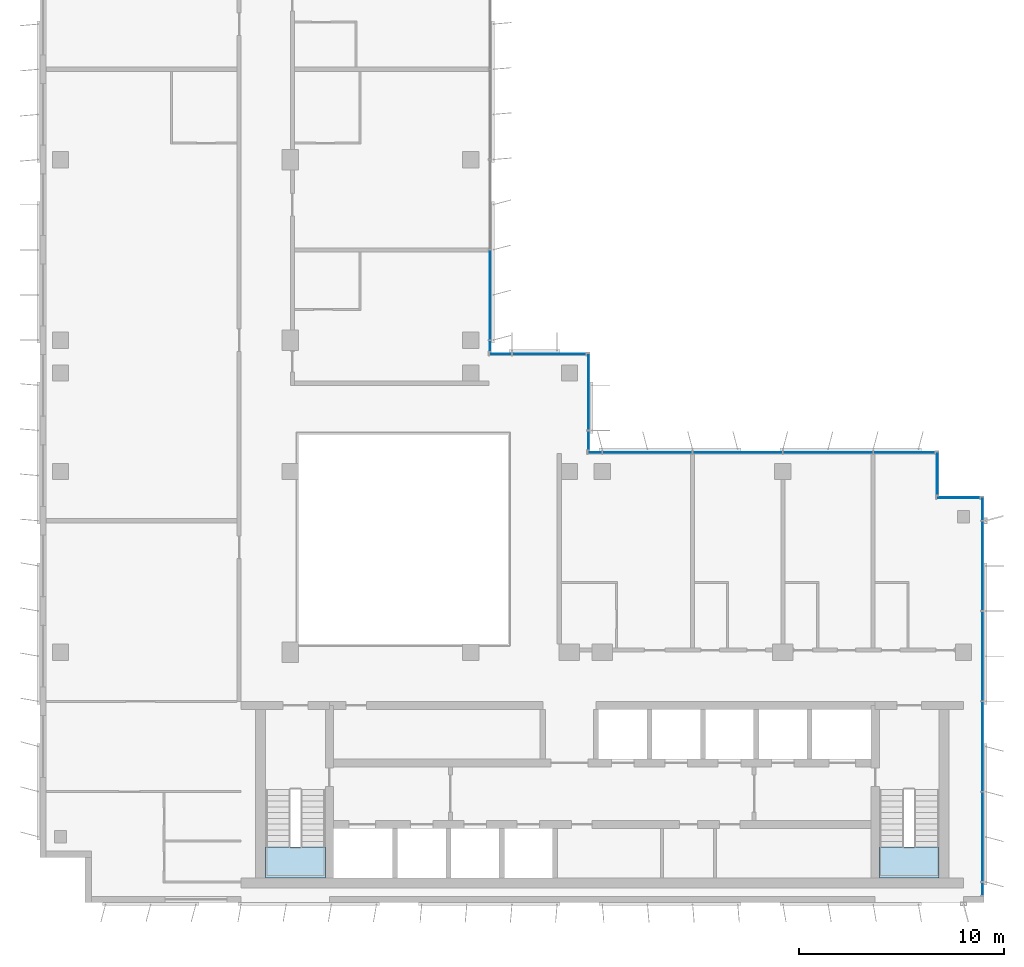
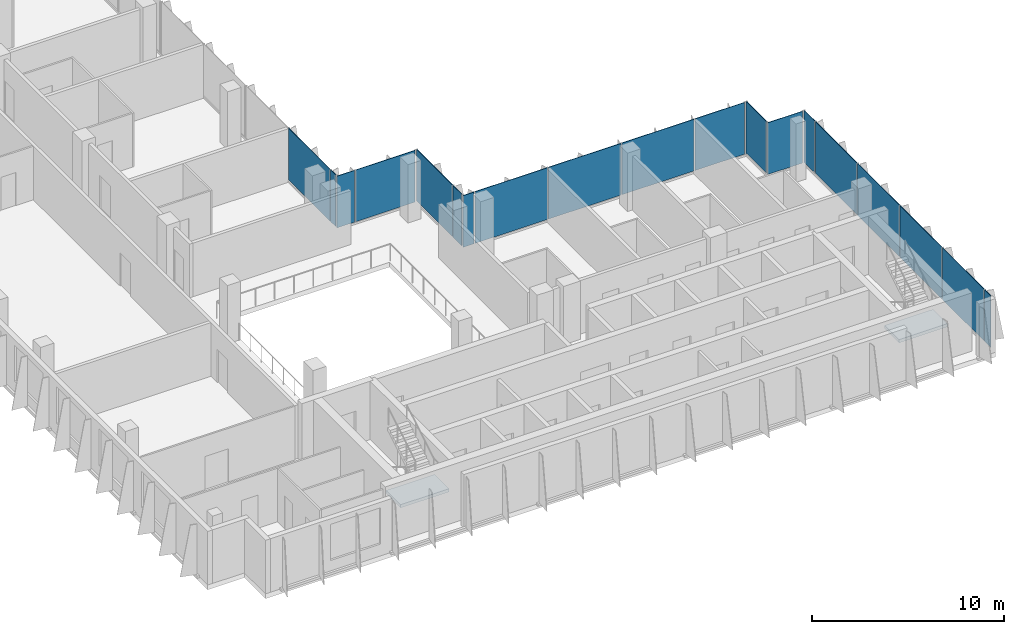
# One storey, part 7 of 15: 19 plates, 2 slabs, 9 elements without a shape of their own.
"""IFC4 building model written with IfcOpenShell, lengths in metres."""

from ifc_helpers import new_model, si_unit, direction, frame, origin, origin_2d, place, context, subcontext, project, spatial, polyline, rectangle, outline, extrude, source, transform, mapped, material, layer, layer_set, type_object, element, aggregate, save


model = new_model("IFC4")

# Units and contexts
model_context = context("Model", 3, precision=1e-05, world=origin(), true_north=direction((0.0, 1.0)))
body_context = subcontext(model_context, "Body", "Model", "MODEL_VIEW")
ifc_project = project(units=[si_unit("LENGTHUNIT", "METRE"), si_unit("AREAUNIT", "SQUARE_METRE"), si_unit("VOLUMEUNIT", "CUBIC_METRE"), si_unit("PLANEANGLEUNIT", "RADIAN"), si_unit("MASSUNIT", "GRAM", prefix="KILO")], contexts=[model_context])

# Site, building, storey
site_placement = place(None, origin())
site = spatial("IfcSite", under=ifc_project, at=site_placement, CompositionType="ELEMENT")
building_placement = place(site_placement, origin())
building = spatial("IfcBuilding", under=site, at=building_placement, Name="Kemantara Hotel Tower", CompositionType="ELEMENT")
storey_placement = place(building_placement, frame((0.0, 0.0, 298.10009765625)))
storey = spatial("IfcBuildingStorey", under=building, at=storey_placement, Name="L75", CompositionType="ELEMENT", Elevation=298.10009765625)

# Stair, slab
ifc_material_1 = material(Name="Concrete fc 40 MPa", Category="concrete")
stair_type = type_object("IfcStairType", Name="Stair 1200 wide 22 risers of 168 x 280 mm", PredefinedType="HALF_TURN_STAIR", material=ifc_material_1)
stair_1_placement = place(storey_placement, origin())
stair_1 = element("IfcStair", 1, at=stair_1_placement, inside=storey, type_object=stair_type, Name="L75 Exit stair ST1", PredefinedType="HALF_TURN_STAIR")
ifc_layer_1 = layer(ifc_material_1, 0.199951171875)
ifc_layer_set_1 = layer_set([ifc_layer_1], Name="Concrete fc 40 MPa")
slab_type = type_object("IfcSlabType", Name="Stair landing 200 mm", PredefinedType="LANDING", material=ifc_layer_set_1)
slab_1_placement = place(storey_placement, frame((0.0, 0.0, 1.64990234375)))
slab_1 = element("IfcSlab", 2, at=slab_1_placement, type_object=slab_type, Name="ST1 landing 1", PredefinedType="LANDING", context=body_context, shape_type="SweptSolid", body=[
    extrude(outline(polyline([(11.0, 2.699951171875), (11.0, 1.199951171875), (13.89990234375, 1.199951171875), (13.89990234375, 2.699951171875), (11.0, 2.699951171875)])), origin(), (0.0, 0.0, 1.0), 0.199951171875),
])
aggregate(stair_1, [slab_1])

stair_2_placement = place(storey_placement, origin())
stair_2 = element("IfcStair", 3, at=stair_2_placement, inside=storey, type_object=stair_type, Name="L75 Exit stair ST2", PredefinedType="HALF_TURN_STAIR")
slab_2_placement = place(storey_placement, frame((0.0, 0.0, 1.64990234375)))
slab_2 = element("IfcSlab", 4, at=slab_2_placement, type_object=slab_type, Name="ST2 landing 1", PredefinedType="LANDING", context=body_context, shape_type="SweptSolid", body=[
    extrude(outline(polyline([(40.89990234375, 2.699951171875), (40.89990234375, 1.199951171875), (43.800048828125, 1.199951171875), (43.800048828125, 2.699951171875), (40.89990234375, 2.699951171875)])), origin(), (0.0, 0.0, 1.0), 0.199951171875),
])
aggregate(stair_2, [slab_2])

# Curtain wall, plates
ifc_material_2 = material(Name="Low-E tinted double insulated glass 36 mm", Category="glass")
curtain_wall_type = type_object("IfcCurtainWallType", Name="TOWER CURTAIN WALL, FRONT FACES", PredefinedType="USERDEFINED", material=ifc_material_2)
curtain_wall_1_placement = place(storey_placement, origin())
curtain_wall_1 = element("IfcCurtainWall", 5, at=curtain_wall_1_placement, inside=storey, type_object=curtain_wall_type, Name="CW4 L75 T4-R09-1", ObjectType="TOWER CURTAIN WALL, FRONT FACES", PredefinedType="USERDEFINED")
ifc_layer_2 = layer(ifc_material_2, 0.035888671875)
ifc_layer_set_2 = layer_set([ifc_layer_2], Name="Low-E tinted double insulated glass 36 mm")
plate_type = type_object("IfcPlateType", Name="TOWER CURTAIN WALL, FRONT FACES PANEL", PredefinedType="CURTAIN_PANEL", material=ifc_layer_set_2)
shared_shape_1 = source(origin(), body_context, "Body", "SweptSolid", [
    extrude(rectangle(XDim=4.340087890625, YDim=0.035888671875, at=origin_2d()), origin(), (0.0, 0.0, 1.0), 3.280029296875),
])
plate_1_placement = place(storey_placement, frame((45.925048828125, 3.199951171875, 0.1201171875), z_axis=(0.0, 0.0, 1.0), x_axis=(0.0, 1.0, 0.0)))
plate_1 = element("IfcPlate", 6, at=plate_1_placement, type_object=plate_type, Name="CW4 glass panel T4-R09-1.2", PredefinedType="CURTAIN_PANEL", context=body_context, shape_type="MappedRepresentation", body=[
    mapped(shared_shape_1, transform((0.0, 0.0, 0.0))),
])
plate_2_placement = place(storey_placement, frame((45.925048828125, 7.60009765625, 0.1201171875), z_axis=(0.0, 0.0, 1.0), x_axis=(0.0, 1.0, 0.0)))
plate_2 = element("IfcPlate", 7, at=plate_2_placement, type_object=plate_type, Name="CW4 glass panel T4-R09-1.3", PredefinedType="CURTAIN_PANEL", context=body_context, shape_type="MappedRepresentation", body=[
    mapped(shared_shape_1, transform((0.0, 0.0, 0.0))),
])
plate_3_placement = place(storey_placement, frame((45.925048828125, 12.0, 0.1201171875), z_axis=(0.0, 0.0, 1.0), x_axis=(0.0, 1.0, 0.0)))
plate_3 = element("IfcPlate", 8, at=plate_3_placement, type_object=plate_type, Name="CW4 glass panel T4-R09-1.4", PredefinedType="CURTAIN_PANEL", context=body_context, shape_type="MappedRepresentation", body=[
    mapped(shared_shape_1, transform((0.0, 0.0, 0.0))),
])
plate_4_placement = place(storey_placement, frame((45.925048828125, 16.39990234375, 0.1201171875), z_axis=(0.0, 0.0, 1.0), x_axis=(0.0, 1.0, 0.0)))
plate_4 = element("IfcPlate", 9, at=plate_4_placement, type_object=plate_type, Name="CW4 glass panel T4-R09-1.5", PredefinedType="CURTAIN_PANEL", context=body_context, shape_type="MappedRepresentation", body=[
    mapped(shared_shape_1, transform((0.0, 0.0, 0.0))),
])

curtain_wall_2_placement = place(storey_placement, origin())
curtain_wall_2 = element("IfcCurtainWall", 10, at=curtain_wall_2_placement, inside=storey, type_object=curtain_wall_type, Name="CW4 L75 T4-R12-1", ObjectType="TOWER CURTAIN WALL, FRONT FACES", PredefinedType="USERDEFINED")
plate_5_placement = place(storey_placement, frame((38.39990234375, 21.925048828125, 0.1201171875), z_axis=(0.0, 0.0, 1.0), x_axis=(-1.0, 0.0, 0.0)))
plate_5 = element("IfcPlate", 11, at=plate_5_placement, type_object=plate_type, Name="CW4 glass panel T4-R12-1.2", PredefinedType="CURTAIN_PANEL", context=body_context, shape_type="MappedRepresentation", body=[
    mapped(shared_shape_1, transform((0.0, 0.0, 0.0))),
])
plate_6_placement = place(storey_placement, frame((34.0, 21.925048828125, 0.1201171875), z_axis=(0.0, 0.0, 1.0), x_axis=(-1.0, 0.0, 0.0)))
plate_6 = element("IfcPlate", 12, at=plate_6_placement, type_object=plate_type, Name="CW4 glass panel T4-R12-1.3", PredefinedType="CURTAIN_PANEL", context=body_context, shape_type="MappedRepresentation", body=[
    mapped(shared_shape_1, transform((0.0, 0.0, 0.0))),
])
plate_7_placement = place(storey_placement, frame((29.60009765625, 21.925048828125, 0.1201171875), z_axis=(0.0, 0.0, 1.0), x_axis=(-1.0, 0.0, 0.0)))
plate_7 = element("IfcPlate", 13, at=plate_7_placement, type_object=plate_type, Name="CW4 glass panel T4-R12-1.4", PredefinedType="CURTAIN_PANEL", context=body_context, shape_type="MappedRepresentation", body=[
    mapped(shared_shape_1, transform((0.0, 0.0, 0.0))),
])

# Curtain wall, plate
curtain_wall_3_placement = place(storey_placement, origin())
curtain_wall_3 = element("IfcCurtainWall", 14, at=curtain_wall_3_placement, inside=storey, type_object=curtain_wall_type, Name="CW4 L75 T4-R15-1", ObjectType="TOWER CURTAIN WALL, FRONT FACES", PredefinedType="USERDEFINED")
plate_8_placement = place(storey_placement, frame((21.925048828125, 29.60009765625, 0.1201171875), z_axis=(0.0, 0.0, 1.0), x_axis=(0.0, 1.0, 0.0)))
plate_8 = element("IfcPlate", 15, at=plate_8_placement, type_object=plate_type, Name="CW4 glass panel T4-R15-1.2", PredefinedType="CURTAIN_PANEL", context=body_context, shape_type="MappedRepresentation", body=[
    mapped(shared_shape_1, transform((0.0, 0.0, 0.0))),
])

curtain_wall_4_placement = place(storey_placement, origin())
curtain_wall_4 = element("IfcCurtainWall", 16, at=curtain_wall_4_placement, inside=storey, type_object=curtain_wall_type, Name="CW4 L75 T4-R10-1", ObjectType="TOWER CURTAIN WALL, FRONT FACES", PredefinedType="USERDEFINED")
shared_shape_2 = source(origin(), body_context, "Body", "SweptSolid", [
    extrude(rectangle(XDim=2.080078125, YDim=0.035888671875, at=origin_2d()), origin(), (0.0, 0.0, 1.0), 3.280029296875),
])
plate_9_placement = place(storey_placement, frame((44.75, 19.72509765625, 0.1201171875), z_axis=(0.0, 0.0, 1.0), x_axis=(-1.0, 0.0, 0.0)))
plate_9 = element("IfcPlate", 17, at=plate_9_placement, type_object=plate_type, Name="CW4 glass panel T4-R10-1.1", PredefinedType="CURTAIN_PANEL", context=body_context, shape_type="MappedRepresentation", body=[
    mapped(shared_shape_2, transform((0.0, 0.0, 0.0))),
])
aggregate(curtain_wall_4, [plate_9])

curtain_wall_5_placement = place(storey_placement, origin())
curtain_wall_5 = element("IfcCurtainWall", 18, at=curtain_wall_5_placement, inside=storey, type_object=curtain_wall_type, Name="CW4 L75 T4-R11-1", ObjectType="TOWER CURTAIN WALL, FRONT FACES", PredefinedType="USERDEFINED")
plate_10_placement = place(storey_placement, frame((43.72509765625, 20.89990234375, 0.1201171875), z_axis=(0.0, 0.0, 1.0), x_axis=(0.0, 1.0, 0.0)))
plate_10 = element("IfcPlate", 19, at=plate_10_placement, type_object=plate_type, Name="CW4 glass panel T4-R11-1.1", PredefinedType="CURTAIN_PANEL", context=body_context, shape_type="MappedRepresentation", body=[
    mapped(shared_shape_2, transform((0.0, 0.0, 0.0))),
])
aggregate(curtain_wall_5, [plate_10])

# Plate
shared_shape_3 = source(origin(), body_context, "Body", "SweptSolid", [
    extrude(rectangle(XDim=2.9599609375, YDim=0.035888671875, at=origin_2d()), origin(), (0.0, 0.0, 1.0), 3.280029296875),
])
plate_11_placement = place(storey_placement, frame((42.110107421875, 21.925048828125, 0.1201171875), z_axis=(0.0, 0.0, 1.0), x_axis=(-1.0, 0.0, 0.0)))
plate_11 = element("IfcPlate", 20, at=plate_11_placement, type_object=plate_type, Name="CW4 glass panel T4-R12-1.1", PredefinedType="CURTAIN_PANEL", context=body_context, shape_type="MappedRepresentation", body=[
    mapped(shared_shape_3, transform((0.0, 0.0, 0.0))),
])

shared_shape_4 = source(origin(), body_context, "Body", "SweptSolid", [
    extrude(rectangle(XDim=0.659912109375, YDim=0.035888671875, at=origin_2d()), origin(), (0.0, 0.0, 1.0), 3.280029296875),
])
plate_12_placement = place(storey_placement, frame((27.0400390625, 21.925048828125, 0.1201171875), z_axis=(0.0, 0.0, 1.0), x_axis=(-1.0, 0.0, 0.0)))
plate_12 = element("IfcPlate", 21, at=plate_12_placement, type_object=plate_type, Name="CW4 glass panel T4-R12-1.5", PredefinedType="CURTAIN_PANEL", context=body_context, shape_type="MappedRepresentation", body=[
    mapped(shared_shape_4, transform((0.0, 0.0, 0.0))),
])

aggregate(curtain_wall_2, [plate_11, plate_5, plate_6, plate_7, plate_12])

shared_shape_5 = source(origin(), body_context, "Body", "SweptSolid", [
    extrude(rectangle(XDim=0.510009765625, YDim=0.035888671875, at=origin_2d()), origin(), (0.0, 0.0, 1.0), 3.280029296875),
])
plate_13_placement = place(storey_placement, frame((21.925048828125, 27.114990234375, 0.1201171875), z_axis=(0.0, 0.0, 1.0), x_axis=(0.0, 1.0, 0.0)))
plate_13 = element("IfcPlate", 22, at=plate_13_placement, type_object=plate_type, Name="CW4 glass panel T4-R15-1.1", PredefinedType="CURTAIN_PANEL", context=body_context, shape_type="MappedRepresentation", body=[
    mapped(shared_shape_5, transform((0.0, 0.0, 0.0))),
])

aggregate(curtain_wall_3, [plate_13, plate_8])

# Curtain wall, plate
curtain_wall_6_placement = place(storey_placement, origin())
curtain_wall_6 = element("IfcCurtainWall", 23, at=curtain_wall_6_placement, inside=storey, type_object=curtain_wall_type, Name="CW4 L75 T4-R13-1", ObjectType="TOWER CURTAIN WALL, FRONT FACES", PredefinedType="USERDEFINED")
shared_shape_6 = source(origin(), body_context, "Body", "SweptSolid", [
    extrude(rectangle(XDim=0.909912109375, YDim=0.035888671875, at=origin_2d()), origin(), (0.0, 0.0, 1.0), 3.280029296875),
])
plate_14_placement = place(storey_placement, frame((26.72509765625, 22.514892578125, 0.1201171875), z_axis=(0.0, 0.0, 1.0), x_axis=(0.0, 1.0, 0.0)))
plate_14 = element("IfcPlate", 24, at=plate_14_placement, type_object=plate_type, Name="CW4 glass panel T4-R13-1.1", PredefinedType="CURTAIN_PANEL", context=body_context, shape_type="MappedRepresentation", body=[
    mapped(shared_shape_6, transform((0.0, 0.0, 0.0))),
])

# Plate
shared_shape_7 = source(origin(), body_context, "Body", "SweptSolid", [
    extrude(rectangle(XDim=1.110107421875, YDim=0.035888671875, at=origin_2d()), origin(), (0.0, 0.0, 1.0), 3.280029296875),
])
plate_15_placement = place(storey_placement, frame((45.925048828125, 19.18505859375, 0.1201171875), z_axis=(0.0, 0.0, 1.0), x_axis=(0.0, 1.0, 0.0)))
plate_15 = element("IfcPlate", 25, at=plate_15_placement, type_object=plate_type, Name="CW4 glass panel T4-R09-1.6", PredefinedType="CURTAIN_PANEL", context=body_context, shape_type="MappedRepresentation", body=[
    mapped(shared_shape_7, transform((0.0, 0.0, 0.0))),
])

shared_shape_8 = source(origin(), body_context, "Body", "SweptSolid", [
    extrude(rectangle(XDim=3.7099609375, YDim=0.035888671875, at=origin_2d()), origin(), (0.0, 0.0, 1.0), 3.280029296875),
])
plate_16_placement = place(storey_placement, frame((26.72509765625, 24.885009765625, 0.1201171875), z_axis=(0.0, 0.0, 1.0), x_axis=(0.0, 1.0, 0.0)))
plate_16 = element("IfcPlate", 26, at=plate_16_placement, type_object=plate_type, Name="CW4 glass panel T4-R13-1.2", PredefinedType="CURTAIN_PANEL", context=body_context, shape_type="MappedRepresentation", body=[
    mapped(shared_shape_8, transform((0.0, 0.0, 0.0))),
])

aggregate(curtain_wall_6, [plate_14, plate_16])

# Curtain wall, plates
curtain_wall_7_placement = place(storey_placement, origin())
curtain_wall_7 = element("IfcCurtainWall", 27, at=curtain_wall_7_placement, inside=storey, type_object=curtain_wall_type, Name="CW4 L75 T4-R14-1", ObjectType="TOWER CURTAIN WALL, FRONT FACES", PredefinedType="USERDEFINED")
shared_shape_9 = source(origin(), body_context, "Body", "SweptSolid", [
    extrude(rectangle(XDim=3.56005859375, YDim=0.035888671875, at=origin_2d()), origin(), (0.0, 0.0, 1.0), 3.280029296875),
])
plate_17_placement = place(storey_placement, frame((24.81005859375, 26.72509765625, 0.1201171875), z_axis=(0.0, 0.0, 1.0), x_axis=(-1.0, 0.0, 0.0)))
plate_17 = element("IfcPlate", 28, at=plate_17_placement, type_object=plate_type, Name="CW4 glass panel T4-R14-1.1", PredefinedType="CURTAIN_PANEL", context=body_context, shape_type="MappedRepresentation", body=[
    mapped(shared_shape_9, transform((0.0, 0.0, 0.0))),
])
shared_shape_10 = source(origin(), body_context, "Body", "SweptSolid", [
    extrude(rectangle(XDim=1.06005859375, YDim=0.035888671875, at=origin_2d()), origin(), (0.0, 0.0, 1.0), 3.280029296875),
])
plate_18_placement = place(storey_placement, frame((22.43994140625, 26.72509765625, 0.1201171875), z_axis=(0.0, 0.0, 1.0), x_axis=(-1.0, 0.0, 0.0)))
plate_18 = element("IfcPlate", 29, at=plate_18_placement, type_object=plate_type, Name="CW4 glass panel T4-R14-1.2", PredefinedType="CURTAIN_PANEL", context=body_context, shape_type="MappedRepresentation", body=[
    mapped(shared_shape_10, transform((0.0, 0.0, 0.0))),
])
aggregate(curtain_wall_7, [plate_17, plate_18])

# Plate
shared_shape_11 = source(origin(), body_context, "Body", "SweptSolid", [
    extrude(rectangle(XDim=0.610107421875, YDim=0.035888671875, at=origin_2d()), origin(), (0.0, 0.0, 1.0), 3.280029296875),
])
plate_19_placement = place(storey_placement, frame((45.925048828125, 0.6650390625, 0.1201171875), z_axis=(0.0, 0.0, 1.0), x_axis=(0.0, 1.0, 0.0)))
plate_19 = element("IfcPlate", 30, at=plate_19_placement, type_object=plate_type, Name="CW4 glass panel T4-R09-1.1", PredefinedType="CURTAIN_PANEL", context=body_context, shape_type="MappedRepresentation", body=[
    mapped(shared_shape_11, transform((0.0, 0.0, 0.0))),
])

aggregate(curtain_wall_1, [plate_19, plate_1, plate_2, plate_3, plate_4, plate_15])

save(model, "model.ifc")
